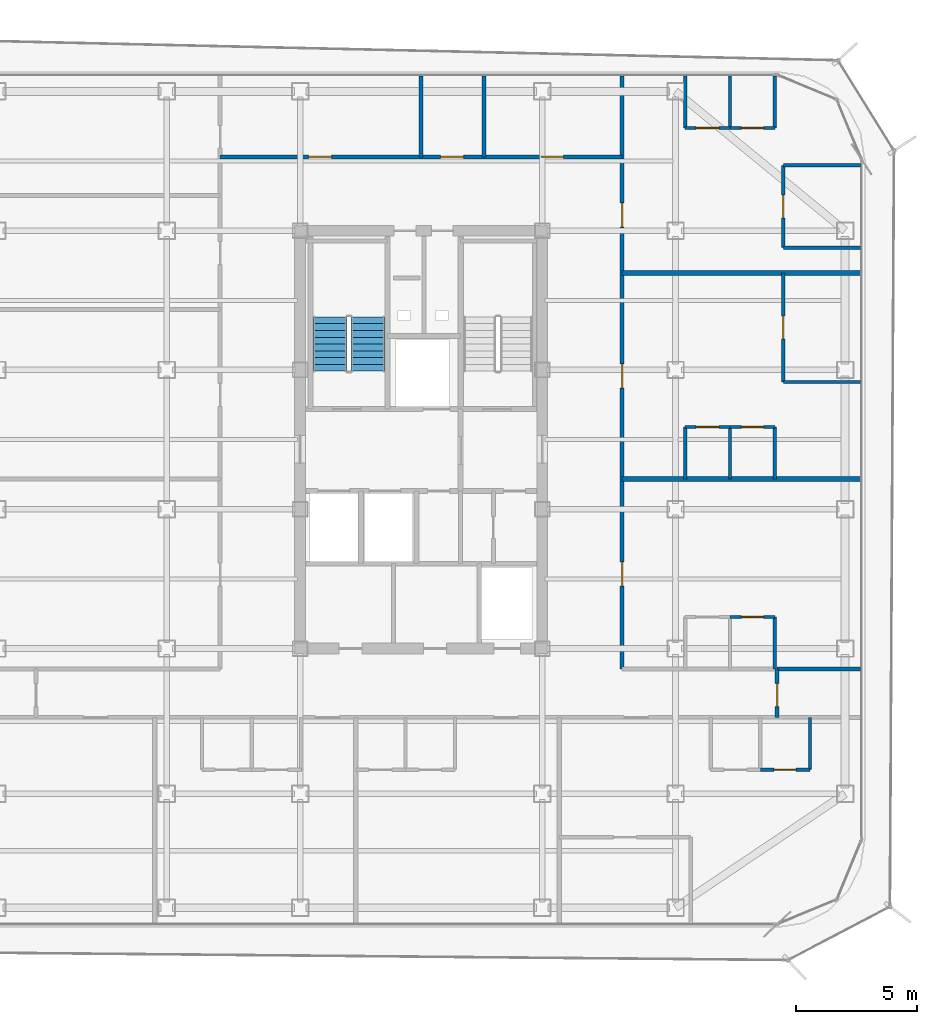
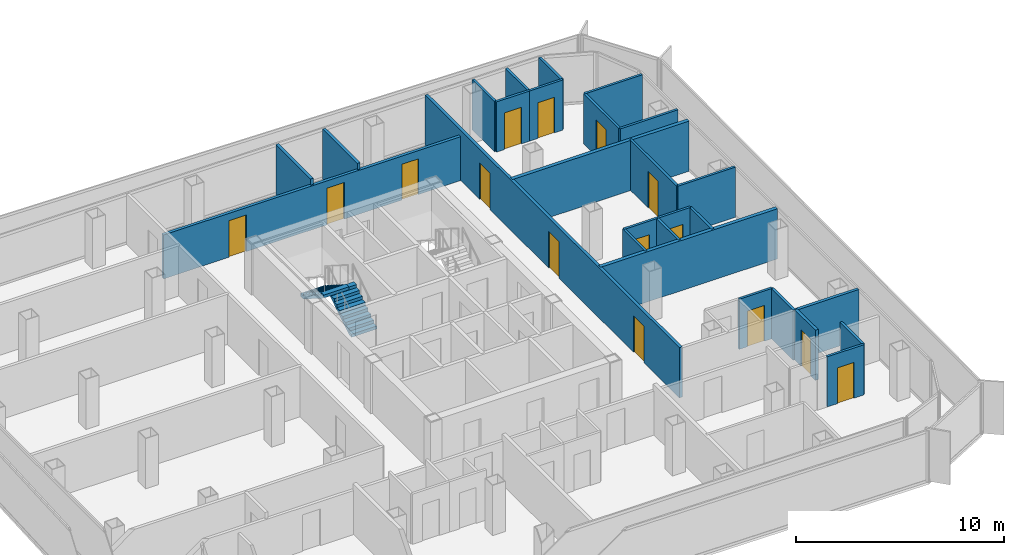
# One storey, part 12 of 16: 27 walls, 15 doors, 2 stair flights, 15 openings, 1 element without a shape of its own.
"""IFC4 building model written with IfcOpenShell, lengths in metres."""

from ifc_helpers import new_model, si_unit, direction, frame, frame_2d, origin, place, context, subcontext, project, spatial, polyline, rectangle, outline, extrude, material, layer, layer_set, type_object, element, fill, aggregate, save


model = new_model("IFC4")

# Units and contexts
model_context = context("Model", 3, precision=1e-05, world=origin(), true_north=direction((0.0, 1.0)))
body_context = subcontext(model_context, "Body", "Model", "MODEL_VIEW")
ifc_project = project(units=[si_unit("LENGTHUNIT", "METRE"), si_unit("AREAUNIT", "SQUARE_METRE"), si_unit("VOLUMEUNIT", "CUBIC_METRE"), si_unit("PLANEANGLEUNIT", "RADIAN"), si_unit("MASSUNIT", "GRAM", prefix="KILO")], contexts=[model_context])

# Site, building, storey
site_placement = place(None, origin())
site = spatial("IfcSite", under=ifc_project, at=site_placement, CompositionType="ELEMENT")
building_placement = place(site_placement, origin())
building = spatial("IfcBuilding", under=site, at=building_placement, Name="Kolveth Station Tower", CompositionType="ELEMENT")
storey_placement = place(building_placement, frame((0.0, 0.0, 162.5)))
storey = spatial("IfcBuildingStorey", under=building, at=storey_placement, Name="L45", CompositionType="ELEMENT", Elevation=162.5)

# Wall, opening, door
ifc_material_1 = material(Name="Moisture-resistant gypsum partition")
ifc_layer_1 = layer(ifc_material_1, 0.135009765625)
ifc_layer_set_1 = layer_set([ifc_layer_1], Name="Moisture-resistant gypsum partition")
wall_type_1 = type_object("IfcWallType", Name="Wall_IW-135", PredefinedType="PARTITIONING", material=ifc_layer_set_1)
wall_1_placement = place(storey_placement, frame((37.5, 6.5, 0.0), z_axis=(0.0, 0.0, 1.0), x_axis=(1.0, 0.0, 0.0)))
wall_1 = element("IfcWall", 1, at=wall_1_placement, inside=storey, type_object=wall_type_1, Name="L45 Partition Wall WL-L45-A4-IBHB", PredefinedType="PARTITIONING", context=body_context, shape_type="SweptSolid", body=[
    extrude(rectangle(XDim=2.050048828125, YDim=0.135009765625, at=frame_2d((1.02490234375, 0.0))), origin(), (0.0, 0.0, 1.0), 2.949951171875),
])
opening_1_placement = place(wall_1_placement, frame((0.56494140625, 0.0, 0.0)))
opening_1 = element("IfcOpeningElement", 2, at=opening_1_placement, cuts=wall_1, Name="Opening ID2", PredefinedType="OPENING", context=body_context, shape_type="SweptSolid", body=[
    extrude(rectangle(XDim=0.919921875, YDim=2.10009765625, at=frame_2d((0.4599609375, 1.050048828125))), frame((0.0, 0.077392578125, 0.0), z_axis=(0.0, -1.0, 0.0), x_axis=(1.0, 0.0, 0.0)), (0.0, 0.0, 1.0), 0.155029296875),
])
ifc_material_2 = material(Name="Moisture-resistant hardwood leaf", Category="wood")
door_type_1 = type_object("IfcDoorType", Name="Door_ID2", OperationType="NOTDEFINED", PredefinedType="DOOR", material=ifc_material_2)
door_1_placement = place(opening_1_placement, origin())
door_1 = element("IfcDoor", 3, at=door_1_placement, inside=storey, type_object=door_type_1, Name="Penthouse Flat L45-A4 Bathroom Door", OperationType="SINGLE_SWING_LEFT", OverallHeight=2.10009765625, OverallWidth=0.919921875, PredefinedType="DOOR", context=body_context, shape_type="SweptSolid", body=[
    extrude(rectangle(XDim=0.919921875, YDim=2.10009765625, at=frame_2d((0.4599609375, 1.050048828125))), frame((0.0, 0.02490234375, 0.0), z_axis=(0.0, -1.0, 0.0), x_axis=(1.0, 0.0, 0.0)), (0.0, 0.0, 1.0), 0.050048828125),
])
fill(opening_1, door_1)

# Wall
wall_2_placement = place(storey_placement, frame((39.550048828125, 6.5, 0.0), z_axis=(0.0, 0.0, 1.0), x_axis=(0.0, 1.0, 0.0)))
element("IfcWall", 4, at=wall_2_placement, inside=storey, type_object=wall_type_1, Name="L45 Partition Wall WL-L45-A4-IBV2", PredefinedType="PARTITIONING", context=body_context, shape_type="SweptSolid", body=[
    extrude(rectangle(XDim=2.14990234375, YDim=0.135009765625, at=frame_2d((1.074951171875, 0.0))), origin(), (0.0, 0.0, 1.0), 2.949951171875),
])

# Wall, opening, door
wall_3_placement = place(storey_placement, frame((36.25, 12.800048828125, 0.0), z_axis=(0.0, 0.0, 1.0), x_axis=(1.0, 0.0, 0.0)))
wall_3 = element("IfcWall", 5, at=wall_3_placement, inside=storey, type_object=wall_type_1, Name="L45 Partition Wall WL-L45-E1-IBHB", PredefinedType="PARTITIONING", context=body_context, shape_type="SweptSolid", body=[
    extrude(rectangle(XDim=1.85009765625, YDim=0.135009765625, at=frame_2d((0.925048828125, 0.0))), origin(), (0.0, 0.0, 1.0), 2.949951171875),
])
opening_2_placement = place(wall_3_placement, frame((0.465087890625, 0.0, 0.0)))
opening_2 = element("IfcOpeningElement", 6, at=opening_2_placement, cuts=wall_3, Name="Opening ID2", PredefinedType="OPENING", context=body_context, shape_type="SweptSolid", body=[
    extrude(rectangle(XDim=0.919921875, YDim=2.10009765625, at=frame_2d((0.4599609375, 1.050048828125))), frame((0.0, 0.077392578125, 0.0), z_axis=(0.0, -1.0, 0.0), x_axis=(1.0, 0.0, 0.0)), (0.0, 0.0, 1.0), 0.155029296875),
])
door_2_placement = place(opening_2_placement, origin())
door_2 = element("IfcDoor", 7, at=door_2_placement, inside=storey, type_object=door_type_1, Name="Flat L45-E1 Bathroom Door", OperationType="SINGLE_SWING_LEFT", OverallHeight=2.10009765625, OverallWidth=0.919921875, PredefinedType="DOOR", context=body_context, shape_type="SweptSolid", body=[
    extrude(rectangle(XDim=0.919921875, YDim=2.10009765625, at=frame_2d((0.4599609375, 1.050048828125))), frame((0.0, 0.02490234375, 0.0), z_axis=(0.0, -1.0, 0.0), x_axis=(1.0, 0.0, 0.0)), (0.0, 0.0, 1.0), 0.050048828125),
])
fill(opening_2, door_2)

# Wall
wall_4_placement = place(storey_placement, frame((38.10009765625, 10.64990234375, 0.0), z_axis=(0.0, 0.0, 1.0), x_axis=(0.0, 1.0, 0.0)))
element("IfcWall", 8, at=wall_4_placement, inside=storey, type_object=wall_type_1, Name="L45 Partition Wall WL-L45-E1-IBV2", PredefinedType="PARTITIONING", context=body_context, shape_type="SweptSolid", body=[
    extrude(rectangle(XDim=2.150146484375, YDim=0.135009765625, at=frame_2d((1.0751953125, 0.0))), origin(), (0.0, 0.0, 1.0), 2.949951171875),
])

# Wall, opening, door
wall_5_placement = place(storey_placement, frame((34.39990234375, 20.64990234375, 0.0), z_axis=(0.0, 0.0, 1.0), x_axis=(1.0, 0.0, 0.0)))
wall_5 = element("IfcWall", 9, at=wall_5_placement, inside=storey, type_object=wall_type_1, Name="L45 Partition Wall WL-L45-E2-IBHK", PredefinedType="PARTITIONING", context=body_context, shape_type="SweptSolid", body=[
    extrude(rectangle(XDim=1.85009765625, YDim=0.135009765625, at=frame_2d((0.925048828125, 0.0))), origin(), (0.0, 0.0, 1.0), 2.949951171875),
])
opening_3_placement = place(wall_5_placement, frame((0.445068359375, 0.0, 0.0)))
opening_3 = element("IfcOpeningElement", 10, at=opening_3_placement, cuts=wall_5, Name="Opening ID1", PredefinedType="OPENING", context=body_context, shape_type="SweptSolid", body=[
    extrude(rectangle(XDim=0.949951171875, YDim=2.14990234375, at=frame_2d((0.47509765625, 1.074951171875))), frame((0.0, 0.077392578125, 0.0), z_axis=(0.0, -1.0, 0.0), x_axis=(1.0, 0.0, 0.0)), (0.0, 0.0, 1.0), 0.155029296875),
])
ifc_material_3 = material(Name="Acoustic hardwood leaf and aluminium frame", Category="wood")
door_type_2 = type_object("IfcDoorType", Name="Door_ID1", OperationType="NOTDEFINED", PredefinedType="DOOR", material=ifc_material_3)
door_3_placement = place(opening_3_placement, origin())
door_3 = element("IfcDoor", 11, at=door_3_placement, inside=storey, type_object=door_type_2, Name="Flat L45-E2 Kitchen Door", OperationType="SINGLE_SWING_LEFT", OverallHeight=2.14990234375, OverallWidth=0.949951171875, PredefinedType="DOOR", context=body_context, shape_type="SweptSolid", body=[
    extrude(rectangle(XDim=0.949951171875, YDim=2.14990234375, at=frame_2d((0.47509765625, 1.074951171875))), frame((0.0, 0.02490234375, 0.0), z_axis=(0.0, -1.0, 0.0), x_axis=(1.0, 0.0, 0.0)), (0.0, 0.0, 1.0), 0.050048828125),
])
fill(opening_3, door_3)

wall_6_placement = place(storey_placement, frame((36.25, 20.64990234375, 0.0), z_axis=(0.0, 0.0, 1.0), x_axis=(1.0, 0.0, 0.0)))
wall_6 = element("IfcWall", 12, at=wall_6_placement, inside=storey, type_object=wall_type_1, Name="L45 Partition Wall WL-L45-E2-IBHB", PredefinedType="PARTITIONING", context=body_context, shape_type="SweptSolid", body=[
    extrude(rectangle(XDim=1.85009765625, YDim=0.135009765625, at=frame_2d((0.925048828125, 0.0))), origin(), (0.0, 0.0, 1.0), 2.949951171875),
])
opening_4_placement = place(wall_6_placement, frame((0.465087890625, 0.0, 0.0)))
opening_4 = element("IfcOpeningElement", 13, at=opening_4_placement, cuts=wall_6, Name="Opening ID2", PredefinedType="OPENING", context=body_context, shape_type="SweptSolid", body=[
    extrude(rectangle(XDim=0.919921875, YDim=2.10009765625, at=frame_2d((0.4599609375, 1.050048828125))), frame((0.0, 0.077392578125, 0.0), z_axis=(0.0, -1.0, 0.0), x_axis=(1.0, 0.0, 0.0)), (0.0, 0.0, 1.0), 0.155029296875),
])
door_4_placement = place(opening_4_placement, origin())
door_4 = element("IfcDoor", 14, at=door_4_placement, inside=storey, type_object=door_type_1, Name="Flat L45-E2 Bathroom Door", OperationType="SINGLE_SWING_RIGHT", OverallHeight=2.10009765625, OverallWidth=0.919921875, PredefinedType="DOOR", context=body_context, shape_type="SweptSolid", body=[
    extrude(rectangle(XDim=0.919921875, YDim=2.10009765625, at=frame_2d((0.4599609375, 1.050048828125))), frame((0.0, 0.02490234375, 0.0), z_axis=(0.0, -1.0, 0.0), x_axis=(1.0, 0.0, 0.0)), (0.0, 0.0, 1.0), 0.050048828125),
])
fill(opening_4, door_4)

# Walls
for number, where, z_axis, x_axis, name in (
    (15, (34.39990234375, 18.5, 0.0), (0.0, 0.0, 1.0), (0.0, 1.0, 0.0), "L45 Partition Wall WL-L45-E2-IBV0"),
    (16, (36.25, 18.5, 0.0), (0.0, 0.0, 1.0), (0.0, 1.0, 0.0), "L45 Partition Wall WL-L45-E2-IBV1"),
    (17, (38.10009765625, 18.5, 0.0), (0.0, 0.0, 1.0), (0.0, 1.0, 0.0), "L45 Partition Wall WL-L45-E2-IBV2"),
):
    element("IfcWall", number, at=place(storey_placement, frame(where, z_axis=z_axis, x_axis=x_axis)), inside=storey, type_object=wall_type_1, Name=name, PredefinedType="PARTITIONING", context=body_context, shape_type="SweptSolid", body=[
        extrude(rectangle(XDim=2.14990234375, YDim=0.135009765625, at=frame_2d((1.074951171875, 0.0))), origin(), (0.0, 0.0, 1.0), 2.949951171875),
    ])
wall_7_placement = place(storey_placement, frame((38.449951171875, 22.5, 0.0), z_axis=(0.0, 0.0, 1.0), x_axis=(1.0, 0.0, 0.0)))
element("IfcWall", 18, at=wall_7_placement, inside=storey, type_object=wall_type_1, Name="L45 Partition Wall WL-L45-E2-BDH0", PredefinedType="PARTITIONING", context=body_context, shape_type="SweptSolid", body=[
    extrude(rectangle(XDim=3.18994140625, YDim=0.135009765625, at=frame_2d((1.594970703125, 0.0))), origin(), (0.0, 0.0, 1.0), 2.949951171875),
])

# Wall, opening, door
wall_8_placement = place(storey_placement, frame((38.449951171875, 22.5, 0.0), z_axis=(0.0, 0.0, 1.0), x_axis=(0.0, 1.0, 0.0)))
wall_8 = element("IfcWall", 19, at=wall_8_placement, inside=storey, type_object=wall_type_1, Name="L45 Partition Wall WL-L45-E2-BDV1", PredefinedType="PARTITIONING", context=body_context, shape_type="SweptSolid", body=[
    extrude(rectangle(XDim=4.5, YDim=0.135009765625, at=frame_2d((2.25, 0.0))), origin(), (0.0, 0.0, 1.0), 2.949951171875),
])
opening_5_placement = place(wall_8_placement, frame((1.77001953125, 0.0, 0.0)))
opening_5 = element("IfcOpeningElement", 20, at=opening_5_placement, cuts=wall_8, Name="Opening ID1", PredefinedType="OPENING", context=body_context, shape_type="SweptSolid", body=[
    extrude(rectangle(XDim=0.949951171875, YDim=2.14990234375, at=frame_2d((0.47509765625, 1.074951171875))), frame((0.0, 0.077392578125, 0.0), z_axis=(0.0, -1.0, 0.0), x_axis=(1.0, 0.0, 0.0)), (0.0, 0.0, 1.0), 0.155029296875),
])
door_5_placement = place(opening_5_placement, frame((0.949951171875, 0.0, 0.0), z_axis=(0.0, 0.0, 1.0), x_axis=(-1.0, 0.0, 0.0)))
door_5 = element("IfcDoor", 21, at=door_5_placement, inside=storey, type_object=door_type_2, Name="Flat L45-E2 Bedroom 1 Door", OperationType="SINGLE_SWING_LEFT", OverallHeight=2.14990234375, OverallWidth=0.949951171875, PredefinedType="DOOR", context=body_context, shape_type="SweptSolid", body=[
    extrude(rectangle(XDim=0.949951171875, YDim=2.14990234375, at=frame_2d((0.47509765625, 1.074951171875))), frame((0.0, 0.02490234375, 0.0), z_axis=(0.0, -1.0, 0.0), x_axis=(1.0, 0.0, 0.0)), (0.0, 0.0, 1.0), 0.050048828125),
])
fill(opening_5, door_5)

wall_9_placement = place(storey_placement, frame((34.39990234375, 32.989990234375, 0.0), z_axis=(0.0, 0.0, 1.0), x_axis=(1.0, 0.0, 0.0)))
wall_9 = element("IfcWall", 22, at=wall_9_placement, inside=storey, type_object=wall_type_1, Name="L45 Partition Wall WL-L45-E3-IBHK", PredefinedType="PARTITIONING", context=body_context, shape_type="SweptSolid", body=[
    extrude(rectangle(XDim=1.85009765625, YDim=0.135009765625, at=frame_2d((0.925048828125, 0.0))), origin(), (0.0, 0.0, 1.0), 2.949951171875),
])
opening_6_placement = place(wall_9_placement, frame((0.445068359375, 0.0, 0.0)))
opening_6 = element("IfcOpeningElement", 23, at=opening_6_placement, cuts=wall_9, Name="Opening ID1", PredefinedType="OPENING", context=body_context, shape_type="SweptSolid", body=[
    extrude(rectangle(XDim=0.949951171875, YDim=2.14990234375, at=frame_2d((0.47509765625, 1.074951171875))), frame((0.0, 0.077392578125, 0.0), z_axis=(0.0, -1.0, 0.0), x_axis=(1.0, 0.0, 0.0)), (0.0, 0.0, 1.0), 0.155029296875),
])
door_6_placement = place(opening_6_placement, frame((0.949951171875, 0.0, 0.0), z_axis=(0.0, 0.0, 1.0), x_axis=(-1.0, 0.0, 0.0)))
door_6 = element("IfcDoor", 24, at=door_6_placement, inside=storey, type_object=door_type_2, Name="Flat L45-E3 Kitchen Door", OperationType="SINGLE_SWING_LEFT", OverallHeight=2.14990234375, OverallWidth=0.949951171875, PredefinedType="DOOR", context=body_context, shape_type="SweptSolid", body=[
    extrude(rectangle(XDim=0.949951171875, YDim=2.14990234375, at=frame_2d((0.47509765625, 1.074951171875))), frame((0.0, 0.02490234375, 0.0), z_axis=(0.0, -1.0, 0.0), x_axis=(1.0, 0.0, 0.0)), (0.0, 0.0, 1.0), 0.050048828125),
])
fill(opening_6, door_6)

wall_10_placement = place(storey_placement, frame((36.25, 32.989990234375, 0.0), z_axis=(0.0, 0.0, 1.0), x_axis=(1.0, 0.0, 0.0)))
wall_10 = element("IfcWall", 25, at=wall_10_placement, inside=storey, type_object=wall_type_1, Name="L45 Partition Wall WL-L45-E3-IBHB", PredefinedType="PARTITIONING", context=body_context, shape_type="SweptSolid", body=[
    extrude(rectangle(XDim=1.85009765625, YDim=0.135009765625, at=frame_2d((0.925048828125, 0.0))), origin(), (0.0, 0.0, 1.0), 2.949951171875),
])
opening_7_placement = place(wall_10_placement, frame((0.465087890625, 0.0, 0.0)))
opening_7 = element("IfcOpeningElement", 26, at=opening_7_placement, cuts=wall_10, Name="Opening ID2", PredefinedType="OPENING", context=body_context, shape_type="SweptSolid", body=[
    extrude(rectangle(XDim=0.919921875, YDim=2.10009765625, at=frame_2d((0.4599609375, 1.050048828125))), frame((0.0, 0.077392578125, 0.0), z_axis=(0.0, -1.0, 0.0), x_axis=(1.0, 0.0, 0.0)), (0.0, 0.0, 1.0), 0.155029296875),
])
door_7_placement = place(opening_7_placement, frame((0.919921875, 0.0, 0.0), z_axis=(0.0, 0.0, 1.0), x_axis=(-1.0, 0.0, 0.0)))
door_7 = element("IfcDoor", 27, at=door_7_placement, inside=storey, type_object=door_type_1, Name="Flat L45-E3 Bathroom Door", OperationType="SINGLE_SWING_RIGHT", OverallHeight=2.10009765625, OverallWidth=0.919921875, PredefinedType="DOOR", context=body_context, shape_type="SweptSolid", body=[
    extrude(rectangle(XDim=0.919921875, YDim=2.10009765625, at=frame_2d((0.4599609375, 1.050048828125))), frame((0.0, 0.02490234375, 0.0), z_axis=(0.0, -1.0, 0.0), x_axis=(1.0, 0.0, 0.0)), (0.0, 0.0, 1.0), 0.050048828125),
])
fill(opening_7, door_7)

# Walls
for number, where, z_axis, x_axis, name in (
    (28, (34.39990234375, 32.989990234375, 0.0), (0.0, 0.0, 1.0), (0.0, 1.0, 0.0), "L45 Partition Wall WL-L45-E3-IBV0"),
    (29, (36.25, 32.989990234375, 0.0), (0.0, 0.0, 1.0), (0.0, 1.0, 0.0), "L45 Partition Wall WL-L45-E3-IBV1"),
    (30, (38.10009765625, 32.989990234375, 0.0), (0.0, 0.0, 1.0), (0.0, 1.0, 0.0), "L45 Partition Wall WL-L45-E3-IBV2"),
):
    element("IfcWall", number, at=place(storey_placement, frame(where, z_axis=z_axis, x_axis=x_axis)), inside=storey, type_object=wall_type_1, Name=name, PredefinedType="PARTITIONING", context=body_context, shape_type="SweptSolid", body=[
        extrude(rectangle(XDim=2.14990234375, YDim=0.135009765625, at=frame_2d((1.074951171875, 0.0))), origin(), (0.0, 0.0, 1.0), 2.949951171875),
    ])
for number, where, z_axis, x_axis, name in (
    (31, (38.449951171875, 28.050048828125, 0.0), (0.0, 0.0, 1.0), (1.0, 0.0, 0.0), "L45 Partition Wall WL-L45-E3-BDH0"),
    (32, (38.449951171875, 31.449951171875, 0.0), (0.0, 0.0, 1.0), (1.0, 0.0, 0.0), "L45 Partition Wall WL-L45-E3-BDHE"),
):
    element("IfcWall", number, at=place(storey_placement, frame(where, z_axis=z_axis, x_axis=x_axis)), inside=storey, type_object=wall_type_1, Name=name, PredefinedType="PARTITIONING", context=body_context, shape_type="SweptSolid", body=[
        extrude(rectangle(XDim=3.18994140625, YDim=0.135009765625, at=frame_2d((1.594970703125, 0.0))), origin(), (0.0, 0.0, 1.0), 2.949951171875),
    ])

# Wall, opening, door
wall_11_placement = place(storey_placement, frame((38.449951171875, 28.050048828125, 0.0), z_axis=(0.0, 0.0, 1.0), x_axis=(0.0, 1.0, 0.0)))
wall_11 = element("IfcWall", 33, at=wall_11_placement, inside=storey, type_object=wall_type_1, Name="L45 Partition Wall WL-L45-E3-BDV1", PredefinedType="PARTITIONING", context=body_context, shape_type="SweptSolid", body=[
    extrude(rectangle(XDim=3.39990234375, YDim=0.135009765625, at=frame_2d((1.699951171875, 0.0))), origin(), (0.0, 0.0, 1.0), 2.949951171875),
])
opening_8_placement = place(wall_11_placement, frame((1.219970703125, 0.0, 0.0)))
opening_8 = element("IfcOpeningElement", 34, at=opening_8_placement, cuts=wall_11, Name="Opening ID1", PredefinedType="OPENING", context=body_context, shape_type="SweptSolid", body=[
    extrude(rectangle(XDim=0.949951171875, YDim=2.14990234375, at=frame_2d((0.47509765625, 1.074951171875))), frame((0.0, 0.077392578125, 0.0), z_axis=(0.0, -1.0, 0.0), x_axis=(1.0, 0.0, 0.0)), (0.0, 0.0, 1.0), 0.155029296875),
])
door_8_placement = place(opening_8_placement, frame((0.949951171875, 0.0, 0.0), z_axis=(0.0, 0.0, 1.0), x_axis=(-1.0, 0.0, 0.0)))
door_8 = element("IfcDoor", 35, at=door_8_placement, inside=storey, type_object=door_type_2, Name="Flat L45-E3 Bedroom 1 Door", OperationType="SINGLE_SWING_LEFT", OverallHeight=2.14990234375, OverallWidth=0.949951171875, PredefinedType="DOOR", context=body_context, shape_type="SweptSolid", body=[
    extrude(rectangle(XDim=0.949951171875, YDim=2.14990234375, at=frame_2d((0.47509765625, 1.074951171875))), frame((0.0, 0.02490234375, 0.0), z_axis=(0.0, -1.0, 0.0), x_axis=(1.0, 0.0, 0.0)), (0.0, 0.0, 1.0), 0.050048828125),
])
fill(opening_8, door_8)

ifc_material_4 = material(Name="Acoustic double-stud gypsum partition")
ifc_layer_2 = layer(ifc_material_4, 0.1650390625)
ifc_layer_set_2 = layer_set([ifc_layer_2], Name="Acoustic double-stud gypsum partition")
wall_type_2 = type_object("IfcWallType", Name="Wall_IW-165", PredefinedType="PARTITIONING", material=ifc_layer_set_2)
wall_12_placement = place(storey_placement, frame((38.199951171875, 8.64990234375, 0.0), z_axis=(0.0, 0.0, 1.0), x_axis=(0.0, 1.0, 0.0)))
wall_12 = element("IfcWall", 36, at=wall_12_placement, inside=storey, type_object=wall_type_2, Name="L45 Partition Wall WL-L45-RSEE", PredefinedType="PARTITIONING", context=body_context, shape_type="SweptSolid", body=[
    extrude(rectangle(XDim=2.0, YDim=0.1650390625, at=frame_2d((1.0, 0.0))), origin(), (0.0, 0.0, 1.0), 2.949951171875),
])
opening_9_placement = place(wall_12_placement, frame((0.449951171875, 0.0, 0.0)))
opening_9 = element("IfcOpeningElement", 37, at=opening_9_placement, cuts=wall_12, Name="Opening ID1", PredefinedType="OPENING", context=body_context, shape_type="SweptSolid", body=[
    extrude(rectangle(XDim=0.949951171875, YDim=2.14990234375, at=frame_2d((0.47509765625, 1.074951171875))), frame((0.0, 0.092529296875, 0.0), z_axis=(0.0, -1.0, 0.0), x_axis=(1.0, 0.0, 0.0)), (0.0, 0.0, 1.0), 0.18505859375),
])
door_9_placement = place(opening_9_placement, origin())
door_9 = element("IfcDoor", 38, at=door_9_placement, inside=storey, type_object=door_type_2, Name="L45 Hobby Study Door", OperationType="SINGLE_SWING_LEFT", OverallHeight=2.14990234375, OverallWidth=0.949951171875, PredefinedType="DOOR", context=body_context, shape_type="SweptSolid", body=[
    extrude(rectangle(XDim=0.949951171875, YDim=2.14990234375, at=frame_2d((0.47509765625, 1.074951171875))), frame((0.0, 0.02490234375, 0.0), z_axis=(0.0, -1.0, 0.0), x_axis=(1.0, 0.0, 0.0)), (0.0, 0.0, 1.0), 0.050048828125),
])
fill(opening_9, door_9)

# Wall, openings, doors
wall_13_placement = place(storey_placement, frame((15.199951171875, 31.800048828125, 0.0), z_axis=(0.0, 0.0, 1.0), x_axis=(1.0, 0.0, 0.0)))
wall_13 = element("IfcWall", 39, at=wall_13_placement, inside=storey, type_object=wall_type_2, Name="L45 Partition Wall WL-L45-RN", PredefinedType="PARTITIONING", context=body_context, shape_type="SweptSolid", body=[
    extrude(rectangle(XDim=16.60009765625, YDim=0.1650390625, at=frame_2d((8.300048828125, 0.0))), origin(), (0.0, 0.0, 1.0), 2.5830078125),
])
opening_10_placement = place(wall_13_placement, frame((3.64990234375, 0.0, 0.0)))
opening_10 = element("IfcOpeningElement", 40, at=opening_10_placement, cuts=wall_13, Name="Opening ID1", PredefinedType="OPENING", context=body_context, shape_type="SweptSolid", body=[
    extrude(rectangle(XDim=0.949951171875, YDim=2.14990234375, at=frame_2d((0.47509765625, 1.074951171875))), frame((0.0, 0.092529296875, 0.0), z_axis=(0.0, -1.0, 0.0), x_axis=(1.0, 0.0, 0.0)), (0.0, 0.0, 1.0), 0.18505859375),
])
opening_11_placement = place(wall_13_placement, frame((9.10009765625, 0.0, 0.0)))
opening_11 = element("IfcOpeningElement", 41, at=opening_11_placement, cuts=wall_13, Name="Opening ID1", PredefinedType="OPENING", context=body_context, shape_type="SweptSolid", body=[
    extrude(rectangle(XDim=0.949951171875, YDim=2.14990234375, at=frame_2d((0.47509765625, 1.074951171875))), frame((0.0, 0.092529296875, 0.0), z_axis=(0.0, -1.0, 0.0), x_axis=(1.0, 0.0, 0.0)), (0.0, 0.0, 1.0), 0.18505859375),
])
opening_12_placement = place(wall_13_placement, frame((13.25, 0.0, 0.0)))
opening_12 = element("IfcOpeningElement", 42, at=opening_12_placement, cuts=wall_13, Name="Opening ID2", PredefinedType="OPENING", context=body_context, shape_type="SweptSolid", body=[
    extrude(rectangle(XDim=0.919921875, YDim=2.10009765625, at=frame_2d((0.4599609375, 1.050048828125))), frame((0.0, 0.092529296875, 0.0), z_axis=(0.0, -1.0, 0.0), x_axis=(1.0, 0.0, 0.0)), (0.0, 0.0, 1.0), 0.18505859375),
])
door_10_placement = place(opening_10_placement, origin())
door_10 = element("IfcDoor", 43, at=door_10_placement, inside=storey, type_object=door_type_2, Name="L45 Residents' Sky Lounge Door", OperationType="SINGLE_SWING_LEFT", OverallHeight=2.14990234375, OverallWidth=0.949951171875, PredefinedType="DOOR", context=body_context, shape_type="SweptSolid", body=[
    extrude(rectangle(XDim=0.949951171875, YDim=2.14990234375, at=frame_2d((0.47509765625, 1.074951171875))), frame((0.0, 0.02490234375, 0.0), z_axis=(0.0, -1.0, 0.0), x_axis=(1.0, 0.0, 0.0)), (0.0, 0.0, 1.0), 0.050048828125),
])
fill(opening_10, door_10)
door_11_placement = place(opening_11_placement, origin())
door_11 = element("IfcDoor", 44, at=door_11_placement, inside=storey, type_object=door_type_2, Name="L45 Residents' Committee Room Door", OperationType="SINGLE_SWING_LEFT", OverallHeight=2.14990234375, OverallWidth=0.949951171875, PredefinedType="DOOR", context=body_context, shape_type="SweptSolid", body=[
    extrude(rectangle(XDim=0.949951171875, YDim=2.14990234375, at=frame_2d((0.47509765625, 1.074951171875))), frame((0.0, 0.02490234375, 0.0), z_axis=(0.0, -1.0, 0.0), x_axis=(1.0, 0.0, 0.0)), (0.0, 0.0, 1.0), 0.050048828125),
])
fill(opening_11, door_11)
door_12_placement = place(opening_12_placement, origin())
door_12 = element("IfcDoor", 45, at=door_12_placement, inside=storey, type_object=door_type_1, Name="L45 Accessible Residents' WC Door", OperationType="SINGLE_SWING_LEFT", OverallHeight=2.10009765625, OverallWidth=0.919921875, PredefinedType="DOOR", context=body_context, shape_type="SweptSolid", body=[
    extrude(rectangle(XDim=0.919921875, YDim=2.10009765625, at=frame_2d((0.4599609375, 1.050048828125))), frame((0.0, 0.02490234375, 0.0), z_axis=(0.0, -1.0, 0.0), x_axis=(1.0, 0.0, 0.0)), (0.0, 0.0, 1.0), 0.050048828125),
])
fill(opening_12, door_12)

wall_14_placement = place(storey_placement, frame((31.800048828125, 10.64990234375, 0.0), z_axis=(0.0, 0.0, 1.0), x_axis=(0.0, 1.0, 0.0)))
wall_14 = element("IfcWall", 46, at=wall_14_placement, inside=storey, type_object=wall_type_2, Name="L45 Partition Wall WL-L45-RE", PredefinedType="PARTITIONING", context=body_context, shape_type="SweptSolid", body=[
    extrude(rectangle(XDim=24.489990234375, YDim=0.1650390625, at=frame_2d((12.2451171875, 0.0))), origin(), (0.0, 0.0, 1.0), 2.949951171875),
])
opening_13_placement = place(wall_14_placement, frame((3.425048828125, 0.0, 0.0)))
opening_13 = element("IfcOpeningElement", 47, at=opening_13_placement, cuts=wall_14, Name="Opening FD3", PredefinedType="OPENING", context=body_context, shape_type="SweptSolid", body=[
    extrude(rectangle(XDim=1.0, YDim=2.14990234375, at=frame_2d((0.5, 1.074951171875))), frame((0.0, 0.092529296875, 0.0), z_axis=(0.0, -1.0, 0.0), x_axis=(1.0, 0.0, 0.0)), (0.0, 0.0, 1.0), 0.18505859375),
])
opening_14_placement = place(wall_14_placement, frame((11.60009765625, 0.0, 0.0)))
opening_14 = element("IfcOpeningElement", 48, at=opening_14_placement, cuts=wall_14, Name="Opening FD3", PredefinedType="OPENING", context=body_context, shape_type="SweptSolid", body=[
    extrude(rectangle(XDim=1.0, YDim=2.14990234375, at=frame_2d((0.5, 1.074951171875))), frame((0.0, 0.092529296875, 0.0), z_axis=(0.0, -1.0, 0.0), x_axis=(1.0, 0.0, 0.0)), (0.0, 0.0, 1.0), 0.18505859375),
])
opening_15_placement = place(wall_14_placement, frame((18.25, 0.0, 0.0)))
opening_15 = element("IfcOpeningElement", 49, at=opening_15_placement, cuts=wall_14, Name="Opening FD3", PredefinedType="OPENING", context=body_context, shape_type="SweptSolid", body=[
    extrude(rectangle(XDim=1.0, YDim=2.14990234375, at=frame_2d((0.5, 1.074951171875))), frame((0.0, 0.092529296875, 0.0), z_axis=(0.0, -1.0, 0.0), x_axis=(1.0, 0.0, 0.0)), (0.0, 0.0, 1.0), 0.18505859375),
])
ifc_material_5 = material(Name="Fire-rated hardwood leaf and aluminium frame", Category="wood")
door_type_3 = type_object("IfcDoorType", Name="Door_FD3", OperationType="NOTDEFINED", PredefinedType="DOOR", material=ifc_material_5)
door_13_placement = place(opening_13_placement, frame((1.0, 0.0, 0.0), z_axis=(0.0, 0.0, 1.0), x_axis=(-1.0, 0.0, 0.0)))
door_13 = element("IfcDoor", 50, at=door_13_placement, inside=storey, type_object=door_type_3, Name="Flat L45-E1 Entrance Door", OperationType="SINGLE_SWING_LEFT", OverallHeight=2.14990234375, OverallWidth=1.0, PredefinedType="DOOR", context=body_context, shape_type="SweptSolid", body=[
    extrude(rectangle(XDim=1.0, YDim=2.14990234375, at=frame_2d((0.5, 1.074951171875))), frame((0.0, 0.02490234375, 0.0), z_axis=(0.0, -1.0, 0.0), x_axis=(1.0, 0.0, 0.0)), (0.0, 0.0, 1.0), 0.050048828125),
])
fill(opening_13, door_13)
door_14_placement = place(opening_14_placement, frame((1.0, 0.0, 0.0), z_axis=(0.0, 0.0, 1.0), x_axis=(-1.0, 0.0, 0.0)))
door_14 = element("IfcDoor", 51, at=door_14_placement, inside=storey, type_object=door_type_3, Name="Flat L45-E2 Entrance Door", OperationType="SINGLE_SWING_RIGHT", OverallHeight=2.14990234375, OverallWidth=1.0, PredefinedType="DOOR", context=body_context, shape_type="SweptSolid", body=[
    extrude(rectangle(XDim=1.0, YDim=2.14990234375, at=frame_2d((0.5, 1.074951171875))), frame((0.0, 0.02490234375, 0.0), z_axis=(0.0, -1.0, 0.0), x_axis=(1.0, 0.0, 0.0)), (0.0, 0.0, 1.0), 0.050048828125),
])
fill(opening_14, door_14)
door_15_placement = place(opening_15_placement, frame((1.0, 0.0, 0.0), z_axis=(0.0, 0.0, 1.0), x_axis=(-1.0, 0.0, 0.0)))
door_15 = element("IfcDoor", 52, at=door_15_placement, inside=storey, type_object=door_type_3, Name="Flat L45-E3 Entrance Door", OperationType="SINGLE_SWING_RIGHT", OverallHeight=2.14990234375, OverallWidth=1.0, PredefinedType="DOOR", context=body_context, shape_type="SweptSolid", body=[
    extrude(rectangle(XDim=1.0, YDim=2.14990234375, at=frame_2d((0.5, 1.074951171875))), frame((0.0, 0.02490234375, 0.0), z_axis=(0.0, -1.0, 0.0), x_axis=(1.0, 0.0, 0.0)), (0.0, 0.0, 1.0), 0.050048828125),
])
fill(opening_15, door_15)

# Walls
wall_15_placement = place(storey_placement, frame((38.199951171875, 10.64990234375, 0.0), z_axis=(0.0, 0.0, 1.0), x_axis=(1.0, 0.0, 0.0)))
element("IfcWall", 53, at=wall_15_placement, inside=storey, type_object=wall_type_2, Name="L45 Partition Wall WL-L45-ESTN", PredefinedType="PARTITIONING", context=body_context, shape_type="SweptSolid", body=[
    extrude(rectangle(XDim=3.43994140625, YDim=0.1650390625, at=frame_2d((1.719970703125, 0.0))), origin(), (0.0, 0.0, 1.0), 2.949951171875),
])
for number, where, z_axis, x_axis, name in (
    (54, (23.5, 31.800048828125, 0.0), (0.0, 0.0, 1.0), (0.0, 1.0, 0.0), "L45 Partition Wall WL-L45-RN-P1"),
    (55, (26.10009765625, 31.800048828125, 0.0), (0.0, 0.0, 1.0), (0.0, 1.0, 0.0), "L45 Partition Wall WL-L45-RN-P2"),
):
    element("IfcWall", number, at=place(storey_placement, frame(where, z_axis=z_axis, x_axis=x_axis)), inside=storey, type_object=wall_type_2, Name=name, PredefinedType="PARTITIONING", context=body_context, shape_type="SweptSolid", body=[
        extrude(rectangle(XDim=3.33984375, YDim=0.1650390625, at=frame_2d((1.669921875, 0.0))), origin(), (0.0, 0.0, 1.0), 2.949951171875),
    ])
ifc_material_6 = material(Name="Acoustic fire-rated gypsum blockwork", Category="masonry")
ifc_layer_3 = layer(ifc_material_6, 0.199951171875)
ifc_layer_set_3 = layer_set([ifc_layer_3], Name="Acoustic fire-rated gypsum blockwork")
wall_type_3 = type_object("IfcWallType", Name="Wall_IW-200", PredefinedType="PARTITIONING", material=ifc_layer_set_3)
for number, where, z_axis, x_axis, name in (
    (56, (31.800048828125, 18.5, 0.0), (0.0, 0.0, 1.0), (1.0, 0.0, 0.0), "L45 Partition Wall WL-L45-REU-1"),
    (57, (31.800048828125, 27.0, 0.0), (0.0, 0.0, 1.0), (1.0, 0.0, 0.0), "L45 Partition Wall WL-L45-REU-2"),
):
    element("IfcWall", number, at=place(storey_placement, frame(where, z_axis=z_axis, x_axis=x_axis)), inside=storey, type_object=wall_type_3, Name=name, PredefinedType="PARTITIONING", context=body_context, shape_type="SweptSolid", body=[
        extrude(rectangle(XDim=9.83984375, YDim=0.199951171875, at=frame_2d((4.919921875, 0.0))), origin(), (0.0, 0.0, 1.0), 2.949951171875),
    ])

# Stair, stair flights
ifc_material_7 = material(Name="Concrete C40/50", Category="concrete")
stair_type = type_object("IfcStairType", Name="Stair_ST1", PredefinedType="HALF_TURN_STAIR", material=ifc_material_7)
stair_placement = place(storey_placement, origin())
stair = element("IfcStair", 58, at=stair_placement, inside=storey, type_object=stair_type, Name="L45 Tower Exit Stair ST1", PredefinedType="HALF_TURN_STAIR")
ifc_layer_4 = layer(ifc_material_7, 0.179931640625)
ifc_layer_set_4 = layer_set([ifc_layer_4], Name="Concrete C40/50")
stair_flight_type = type_object("IfcStairFlightType", Name="Flight_ST1", PredefinedType="STRAIGHT", material=ifc_layer_set_4)
stair_flight_1_placement = place(storey_placement, frame((21.300048828125, 22.949951171875, 0.0), z_axis=(0.0, 0.0, 1.0), x_axis=(0.0, 1.0, 0.0)))
stair_flight_1 = element("IfcStairFlight", 59, at=stair_flight_1_placement, type_object=stair_flight_type, Name="ST1 flight 1", NumberOfRisers=9, NumberOfTreads=8, PredefinedType="STRAIGHT", RiserHeight=0.177777778, TreadLength=0.28, context=body_context, shape_type="SweptSolid", body=[
    extrude(outline(polyline([(0.0, 0.0), (0.0, 0.177734375), (0.280029296875, 0.177734375), (0.280029296875, 0.35546875), (0.56005859375, 0.35546875), (0.56005859375, 0.533447265625), (0.840087890625, 0.533447265625), (0.840087890625, 0.711181640625), (1.1201171875, 0.711181640625), (1.1201171875, 0.888916015625), (1.39990234375, 0.888916015625), (1.39990234375, 1.066650390625), (1.679931640625, 1.066650390625), (1.679931640625, 1.244384765625), (1.9599609375, 1.244384765625), (1.9599609375, 1.422119140625), (2.239990234375, 1.422119140625), (2.239990234375, 1.60009765625), (2.239990234375, 1.24462890625), (0.27978515625, 0.0), (0.0, 0.0)])), frame((0.0, 0.699951171875, 0.0), z_axis=(0.0, -1.0, 0.0), x_axis=(1.0, 0.0, 0.0)), (0.0, 0.0, 1.0), 1.39990234375),
])
stair_flight_2_placement = place(storey_placement, frame((19.739990234375, 25.18994140625, 1.60009765625), z_axis=(0.0, 0.0, 1.0), x_axis=(0.0, -1.0, 0.0)))
stair_flight_2 = element("IfcStairFlight", 60, at=stair_flight_2_placement, type_object=stair_flight_type, Name="ST1 flight 2", NumberOfRisers=9, NumberOfTreads=8, PredefinedType="STRAIGHT", RiserHeight=0.177777778, TreadLength=0.28, context=body_context, shape_type="SweptSolid", body=[
    extrude(outline(polyline([(0.0, 0.0), (0.0, 0.177734375), (0.280029296875, 0.177734375), (0.280029296875, 0.35546875), (0.56005859375, 0.35546875), (0.56005859375, 0.533447265625), (0.840087890625, 0.533447265625), (0.840087890625, 0.711181640625), (1.1201171875, 0.711181640625), (1.1201171875, 0.888916015625), (1.39990234375, 0.888916015625), (1.39990234375, 1.066650390625), (1.679931640625, 1.066650390625), (1.679931640625, 1.244384765625), (1.9599609375, 1.244384765625), (1.9599609375, 1.422119140625), (2.239990234375, 1.422119140625), (2.239990234375, 1.60009765625), (2.239990234375, 1.24462890625), (0.27978515625, 0.0), (0.0, 0.0)])), frame((0.0, 0.699951171875, 0.0), z_axis=(0.0, -1.0, 0.0), x_axis=(1.0, 0.0, 0.0)), (0.0, 0.0, 1.0), 1.39990234375),
])
aggregate(stair, [stair_flight_1, stair_flight_2])

save(model, "model.ifc")
